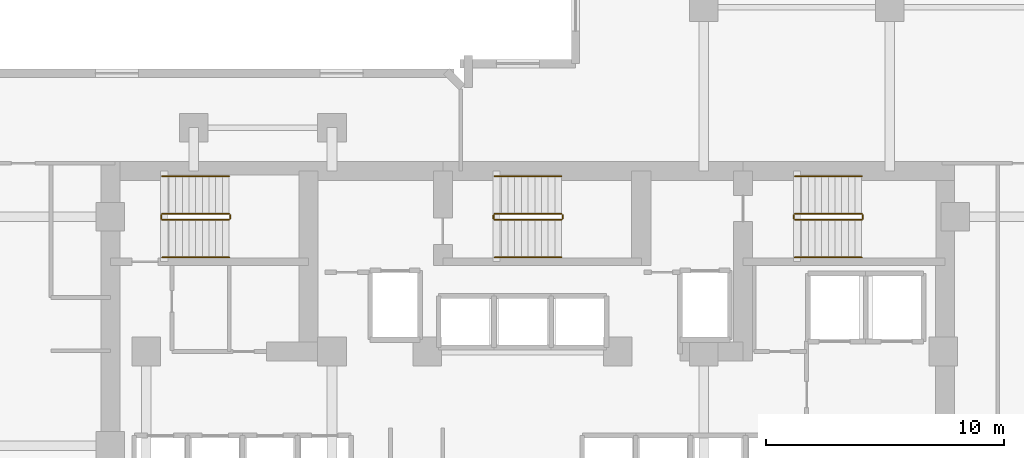
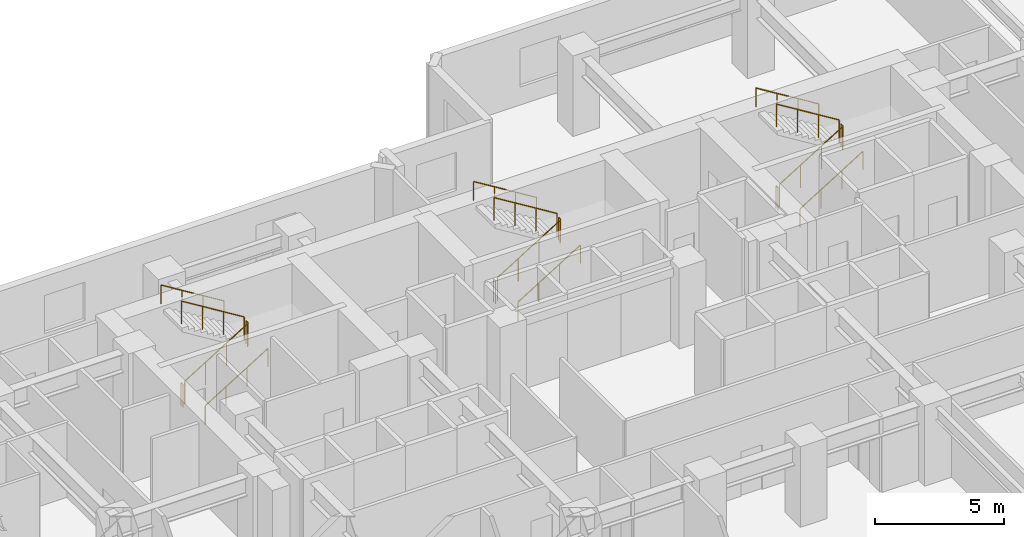
# One storey, part 12 of 12: 18 railings.
"""IFC4 building model written with IfcOpenShell, lengths in metres."""

from ifc_helpers import new_model, si_unit, direction, frame, origin, origin_2d, place, context, subcontext, project, spatial, circle, extrude, material, type_object, element, save


model = new_model("IFC4")

# Units and contexts
model_context = context("Model", 3, precision=1e-05, world=origin(), true_north=direction((0.0, 1.0)))
body_context = subcontext(model_context, "Body", "Model", "MODEL_VIEW")
ifc_project = project(units=[si_unit("LENGTHUNIT", "METRE"), si_unit("AREAUNIT", "SQUARE_METRE"), si_unit("VOLUMEUNIT", "CUBIC_METRE"), si_unit("PLANEANGLEUNIT", "RADIAN"), si_unit("MASSUNIT", "GRAM", prefix="KILO")], contexts=[model_context])

# Site, building, storey
site_placement = place(None, origin())
site = spatial("IfcSite", under=ifc_project, at=site_placement, CompositionType="ELEMENT")
building_placement = place(site_placement, origin())
building = spatial("IfcBuilding", under=site, at=building_placement, Name="Kestravale Grand Hotel", CompositionType="ELEMENT")
storey_placement = place(building_placement, frame((0.0, 0.0, 99.39990234375)))
storey = spatial("IfcBuildingStorey", under=building, at=storey_placement, Name="L24", CompositionType="ELEMENT", Elevation=99.39990234375)

# Railings
ifc_material_1 = material(Name="Painted tubular steel stair well guard", Category="steel")
railing_type_1 = type_object("IfcRailingType", Name="RL-ST-GRD1100", PredefinedType="GUARDRAIL", material=ifc_material_1)
railing_1_placement = place(storey_placement, frame((24.080078125, 38.280029296875, 0.1728515625)))
element("IfcRailing", 1, at=railing_1_placement, inside=storey, type_object=railing_type_1, Name="L24 ST-1 stair guard 1", PredefinedType="GUARDRAIL", context=body_context, shape_type="SweptSolid", body=[
    extrude(circle(Radius=0.02392578125, at=origin_2d()), frame((0.0, 0.0, 1.076171875), z_axis=(0.851069175582, 0.0, 0.525053576669), x_axis=(0.0, 1.0, 0.0)), (0.0, 0.0, 1.0), 3.289794921875),
    extrude(circle(Radius=0.02099609375, at=origin_2d()), origin(), (0.0, 0.0, 1.0), 1.052001953125),
    extrude(circle(Radius=0.02099609375, at=origin_2d()), frame((0.933349609375, 0.0, 0.57568359375)), (0.0, 0.0, 1.0), 1.052001953125),
    extrude(circle(Radius=0.02099609375, at=origin_2d()), frame((1.866455078125, 0.0, 1.151611328125)), (0.0, 0.0, 1.0), 1.052001953125),
    extrude(circle(Radius=0.02099609375, at=origin_2d()), frame((2.7998046875, 0.0, 1.727294921875)), (0.0, 0.0, 1.0), 1.052001953125),
])
railing_2_placement = place(storey_placement, frame((26.929931640625, 38.330078125, 1.900146484375)))
element("IfcRailing", 2, at=railing_2_placement, inside=storey, type_object=railing_type_1, Name="L24 ST-1 stair guard 2", PredefinedType="GUARDRAIL", context=body_context, shape_type="SweptSolid", body=[
    extrude(circle(Radius=0.02392578125, at=origin_2d()), frame((0.0, 0.0, 1.076171875), z_axis=(0.0, 1.0, 0.0), x_axis=(-1.0, 0.0, 0.0)), (0.0, 0.0, 1.0), 0.14990234375),
    extrude(circle(Radius=0.02099609375, at=origin_2d()), origin(), (0.0, 0.0, 1.0), 1.052001953125),
    extrude(circle(Radius=0.02099609375, at=origin_2d()), frame((0.0, 0.14990234375, 0.0)), (0.0, 0.0, 1.0), 1.052001953125),
])
railing_3_placement = place(storey_placement, frame((26.8798828125, 38.530029296875, 2.07275390625)))
element("IfcRailing", 3, at=railing_3_placement, inside=storey, type_object=railing_type_1, Name="L24 ST-1 stair guard 3", PredefinedType="GUARDRAIL", context=body_context, shape_type="SweptSolid", body=[
    extrude(circle(Radius=0.02392578125, at=origin_2d()), frame((0.0, 0.0, 1.076171875), z_axis=(-0.851069175582, 0.0, 0.525053576669), x_axis=(0.0, -1.0, 0.0)), (0.0, 0.0, 1.0), 3.289794921875),
    extrude(circle(Radius=0.02099609375, at=origin_2d()), origin(), (0.0, 0.0, 1.0), 1.052001953125),
    extrude(circle(Radius=0.02099609375, at=origin_2d()), frame((-0.933349609375, 0.0, 0.57568359375)), (0.0, 0.0, 1.0), 1.052001953125),
    extrude(circle(Radius=0.02099609375, at=origin_2d()), frame((-1.866455078125, 0.0, 1.151611328125)), (0.0, 0.0, 1.0), 1.052001953125),
    extrude(circle(Radius=0.02099609375, at=origin_2d()), frame((-2.7998046875, 0.0, 1.727294921875)), (0.0, 0.0, 1.0), 1.052001953125),
])
railing_4_placement = place(storey_placement, frame((24.030029296875, 38.330078125, 0.0)))
element("IfcRailing", 4, at=railing_4_placement, inside=storey, type_object=railing_type_1, Name="L24 ST-1 stair guard 4", PredefinedType="GUARDRAIL", context=body_context, shape_type="SweptSolid", body=[
    extrude(circle(Radius=0.02392578125, at=origin_2d()), frame((0.0, 0.0, 1.076171875), z_axis=(0.0, 1.0, 0.0), x_axis=(-1.0, 0.0, 0.0)), (0.0, 0.0, 1.0), 0.14990234375),
    extrude(circle(Radius=0.02099609375, at=origin_2d()), origin(), (0.0, 0.0, 1.0), 1.052001953125),
    extrude(circle(Radius=0.02099609375, at=origin_2d()), frame((0.0, 0.14990234375, 0.0)), (0.0, 0.0, 1.0), 1.052001953125),
])
railing_5_placement = place(storey_placement, frame((38.030029296875, 38.280029296875, 0.1728515625)))
element("IfcRailing", 5, at=railing_5_placement, inside=storey, type_object=railing_type_1, Name="L24 ST-2 stair guard 1", PredefinedType="GUARDRAIL", context=body_context, shape_type="SweptSolid", body=[
    extrude(circle(Radius=0.02392578125, at=origin_2d()), frame((0.0, 0.0, 1.076171875), z_axis=(0.851089632645, 0.0, 0.525020415988), x_axis=(0.0, 1.0, 0.0)), (0.0, 0.0, 1.0), 3.2900390625),
    extrude(circle(Radius=0.02099609375, at=origin_2d()), origin(), (0.0, 0.0, 1.0), 1.052001953125),
    extrude(circle(Radius=0.02099609375, at=origin_2d()), frame((0.933349609375, 0.0, 0.57568359375)), (0.0, 0.0, 1.0), 1.052001953125),
    extrude(circle(Radius=0.02099609375, at=origin_2d()), frame((1.86669921875, 0.0, 1.151611328125)), (0.0, 0.0, 1.0), 1.052001953125),
    extrude(circle(Radius=0.02099609375, at=origin_2d()), frame((2.800048828125, 0.0, 1.727294921875)), (0.0, 0.0, 1.0), 1.052001953125),
])
railing_6_placement = place(storey_placement, frame((40.8798828125, 38.330078125, 1.900146484375)))
element("IfcRailing", 6, at=railing_6_placement, inside=storey, type_object=railing_type_1, Name="L24 ST-2 stair guard 2", PredefinedType="GUARDRAIL", context=body_context, shape_type="SweptSolid", body=[
    extrude(circle(Radius=0.02392578125, at=origin_2d()), frame((0.0, 0.0, 1.076171875), z_axis=(0.0, 1.0, 0.0), x_axis=(-1.0, 0.0, 0.0)), (0.0, 0.0, 1.0), 0.14990234375),
    extrude(circle(Radius=0.02099609375, at=origin_2d()), origin(), (0.0, 0.0, 1.0), 1.052001953125),
    extrude(circle(Radius=0.02099609375, at=origin_2d()), frame((0.0, 0.14990234375, 0.0)), (0.0, 0.0, 1.0), 1.052001953125),
])
railing_7_placement = place(storey_placement, frame((40.830078125, 38.530029296875, 2.07275390625)))
element("IfcRailing", 7, at=railing_7_placement, inside=storey, type_object=railing_type_1, Name="L24 ST-2 stair guard 3", PredefinedType="GUARDRAIL", context=body_context, shape_type="SweptSolid", body=[
    extrude(circle(Radius=0.02392578125, at=origin_2d()), frame((0.0, 0.0, 1.076171875), z_axis=(-0.851089632645, 0.0, 0.525020415988), x_axis=(0.0, -1.0, 0.0)), (0.0, 0.0, 1.0), 3.2900390625),
    extrude(circle(Radius=0.02099609375, at=origin_2d()), origin(), (0.0, 0.0, 1.0), 1.052001953125),
    extrude(circle(Radius=0.02099609375, at=origin_2d()), frame((-0.933349609375, 0.0, 0.57568359375)), (0.0, 0.0, 1.0), 1.052001953125),
    extrude(circle(Radius=0.02099609375, at=origin_2d()), frame((-1.86669921875, 0.0, 1.151611328125)), (0.0, 0.0, 1.0), 1.052001953125),
    extrude(circle(Radius=0.02099609375, at=origin_2d()), frame((-2.800048828125, 0.0, 1.727294921875)), (0.0, 0.0, 1.0), 1.052001953125),
])
railing_8_placement = place(storey_placement, frame((37.97998046875, 38.330078125, 0.0)))
element("IfcRailing", 8, at=railing_8_placement, inside=storey, type_object=railing_type_1, Name="L24 ST-2 stair guard 4", PredefinedType="GUARDRAIL", context=body_context, shape_type="SweptSolid", body=[
    extrude(circle(Radius=0.02392578125, at=origin_2d()), frame((0.0, 0.0, 1.076171875), z_axis=(0.0, 1.0, 0.0), x_axis=(-1.0, 0.0, 0.0)), (0.0, 0.0, 1.0), 0.14990234375),
    extrude(circle(Radius=0.02099609375, at=origin_2d()), origin(), (0.0, 0.0, 1.0), 1.052001953125),
    extrude(circle(Radius=0.02099609375, at=origin_2d()), frame((0.0, 0.14990234375, 0.0)), (0.0, 0.0, 1.0), 1.052001953125),
])
railing_9_placement = place(storey_placement, frame((50.6298828125, 38.280029296875, 0.1728515625)))
element("IfcRailing", 9, at=railing_9_placement, inside=storey, type_object=railing_type_1, Name="L24 ST-3 stair guard 1", PredefinedType="GUARDRAIL", context=body_context, shape_type="SweptSolid", body=[
    extrude(circle(Radius=0.02392578125, at=origin_2d()), frame((0.0, 0.0, 1.076171875), z_axis=(0.851089632645, 0.0, 0.525020415988), x_axis=(0.0, 1.0, 0.0)), (0.0, 0.0, 1.0), 3.2900390625),
    extrude(circle(Radius=0.02099609375, at=origin_2d()), origin(), (0.0, 0.0, 1.0), 1.052001953125),
    extrude(circle(Radius=0.02099609375, at=origin_2d()), frame((0.933349609375, 0.0, 0.57568359375)), (0.0, 0.0, 1.0), 1.052001953125),
    extrude(circle(Radius=0.02099609375, at=origin_2d()), frame((1.86669921875, 0.0, 1.151611328125)), (0.0, 0.0, 1.0), 1.052001953125),
    extrude(circle(Radius=0.02099609375, at=origin_2d()), frame((2.800048828125, 0.0, 1.727294921875)), (0.0, 0.0, 1.0), 1.052001953125),
])
railing_10_placement = place(storey_placement, frame((53.47998046875, 38.330078125, 1.900146484375)))
element("IfcRailing", 10, at=railing_10_placement, inside=storey, type_object=railing_type_1, Name="L24 ST-3 stair guard 2", PredefinedType="GUARDRAIL", context=body_context, shape_type="SweptSolid", body=[
    extrude(circle(Radius=0.02392578125, at=origin_2d()), frame((0.0, 0.0, 1.076171875), z_axis=(0.0, 1.0, 0.0), x_axis=(-1.0, 0.0, 0.0)), (0.0, 0.0, 1.0), 0.14990234375),
    extrude(circle(Radius=0.02099609375, at=origin_2d()), origin(), (0.0, 0.0, 1.0), 1.052001953125),
    extrude(circle(Radius=0.02099609375, at=origin_2d()), frame((0.0, 0.14990234375, 0.0)), (0.0, 0.0, 1.0), 1.052001953125),
])
railing_11_placement = place(storey_placement, frame((53.429931640625, 38.530029296875, 2.07275390625)))
element("IfcRailing", 11, at=railing_11_placement, inside=storey, type_object=railing_type_1, Name="L24 ST-3 stair guard 3", PredefinedType="GUARDRAIL", context=body_context, shape_type="SweptSolid", body=[
    extrude(circle(Radius=0.02392578125, at=origin_2d()), frame((0.0, 0.0, 1.076171875), z_axis=(-0.851089632645, 0.0, 0.525020415988), x_axis=(0.0, -1.0, 0.0)), (0.0, 0.0, 1.0), 3.2900390625),
    extrude(circle(Radius=0.02099609375, at=origin_2d()), origin(), (0.0, 0.0, 1.0), 1.052001953125),
    extrude(circle(Radius=0.02099609375, at=origin_2d()), frame((-0.933349609375, 0.0, 0.57568359375)), (0.0, 0.0, 1.0), 1.052001953125),
    extrude(circle(Radius=0.02099609375, at=origin_2d()), frame((-1.86669921875, 0.0, 1.151611328125)), (0.0, 0.0, 1.0), 1.052001953125),
    extrude(circle(Radius=0.02099609375, at=origin_2d()), frame((-2.800048828125, 0.0, 1.727294921875)), (0.0, 0.0, 1.0), 1.052001953125),
])
railing_12_placement = place(storey_placement, frame((50.580078125, 38.330078125, 0.0)))
element("IfcRailing", 12, at=railing_12_placement, inside=storey, type_object=railing_type_1, Name="L24 ST-3 stair guard 4", PredefinedType="GUARDRAIL", context=body_context, shape_type="SweptSolid", body=[
    extrude(circle(Radius=0.02392578125, at=origin_2d()), frame((0.0, 0.0, 1.076171875), z_axis=(0.0, 1.0, 0.0), x_axis=(-1.0, 0.0, 0.0)), (0.0, 0.0, 1.0), 0.14990234375),
    extrude(circle(Radius=0.02099609375, at=origin_2d()), origin(), (0.0, 0.0, 1.0), 1.052001953125),
    extrude(circle(Radius=0.02099609375, at=origin_2d()), frame((0.0, 0.14990234375, 0.0)), (0.0, 0.0, 1.0), 1.052001953125),
])
ifc_material_2 = material(Name="Brushed stainless steel wall handrail", Category="steel")
railing_type_2 = type_object("IfcRailingType", Name="RL-ST-HND900", PredefinedType="HANDRAIL", material=ifc_material_2)
railing_13_placement = place(storey_placement, frame((24.080078125, 36.699951171875, 0.1728515625)))
element("IfcRailing", 13, at=railing_13_placement, inside=storey, type_object=railing_type_2, Name="L24 ST-1 stair handrail 1", PredefinedType="HANDRAIL", context=body_context, shape_type="SweptSolid", body=[
    extrude(circle(Radius=0.02392578125, at=origin_2d()), frame((0.0, 0.0, 0.8759765625), z_axis=(0.851069175582, 0.0, 0.525053576669), x_axis=(0.0, 1.0, 0.0)), (0.0, 0.0, 1.0), 3.289794921875),
    extrude(circle(Radius=0.02099609375, at=origin_2d()), origin(), (0.0, 0.0, 1.0), 0.851806640625),
    extrude(circle(Radius=0.02099609375, at=origin_2d()), frame((0.933349609375, 0.0, 0.57568359375)), (0.0, 0.0, 1.0), 0.851806640625),
    extrude(circle(Radius=0.02099609375, at=origin_2d()), frame((1.866455078125, 0.0, 1.151611328125)), (0.0, 0.0, 1.0), 0.851806640625),
    extrude(circle(Radius=0.02099609375, at=origin_2d()), frame((2.7998046875, 0.0, 1.727294921875)), (0.0, 0.0, 1.0), 0.851806640625),
])
railing_14_placement = place(storey_placement, frame((26.8798828125, 40.110107421875, 2.07275390625)))
element("IfcRailing", 14, at=railing_14_placement, inside=storey, type_object=railing_type_2, Name="L24 ST-1 stair handrail 2", PredefinedType="HANDRAIL", context=body_context, shape_type="SweptSolid", body=[
    extrude(circle(Radius=0.02392578125, at=origin_2d()), frame((0.0, 0.0, 0.8759765625), z_axis=(-0.851069175582, 0.0, 0.525053576669), x_axis=(0.0, -1.0, 0.0)), (0.0, 0.0, 1.0), 3.289794921875),
    extrude(circle(Radius=0.02099609375, at=origin_2d()), origin(), (0.0, 0.0, 1.0), 0.851806640625),
    extrude(circle(Radius=0.02099609375, at=origin_2d()), frame((-0.933349609375, 0.0, 0.57568359375)), (0.0, 0.0, 1.0), 0.851806640625),
    extrude(circle(Radius=0.02099609375, at=origin_2d()), frame((-1.866455078125, 0.0, 1.151611328125)), (0.0, 0.0, 1.0), 0.851806640625),
    extrude(circle(Radius=0.02099609375, at=origin_2d()), frame((-2.7998046875, 0.0, 1.727294921875)), (0.0, 0.0, 1.0), 0.851806640625),
])
railing_15_placement = place(storey_placement, frame((38.030029296875, 36.699951171875, 0.1728515625)))
element("IfcRailing", 15, at=railing_15_placement, inside=storey, type_object=railing_type_2, Name="L24 ST-2 stair handrail 1", PredefinedType="HANDRAIL", context=body_context, shape_type="SweptSolid", body=[
    extrude(circle(Radius=0.02392578125, at=origin_2d()), frame((0.0, 0.0, 0.8759765625), z_axis=(0.851089632645, 0.0, 0.525020415988), x_axis=(0.0, 1.0, 0.0)), (0.0, 0.0, 1.0), 3.2900390625),
    extrude(circle(Radius=0.02099609375, at=origin_2d()), origin(), (0.0, 0.0, 1.0), 0.851806640625),
    extrude(circle(Radius=0.02099609375, at=origin_2d()), frame((0.933349609375, 0.0, 0.57568359375)), (0.0, 0.0, 1.0), 0.851806640625),
    extrude(circle(Radius=0.02099609375, at=origin_2d()), frame((1.86669921875, 0.0, 1.151611328125)), (0.0, 0.0, 1.0), 0.851806640625),
    extrude(circle(Radius=0.02099609375, at=origin_2d()), frame((2.800048828125, 0.0, 1.727294921875)), (0.0, 0.0, 1.0), 0.851806640625),
])
railing_16_placement = place(storey_placement, frame((40.830078125, 40.110107421875, 2.07275390625)))
element("IfcRailing", 16, at=railing_16_placement, inside=storey, type_object=railing_type_2, Name="L24 ST-2 stair handrail 2", PredefinedType="HANDRAIL", context=body_context, shape_type="SweptSolid", body=[
    extrude(circle(Radius=0.02392578125, at=origin_2d()), frame((0.0, 0.0, 0.8759765625), z_axis=(-0.851089632645, 0.0, 0.525020415988), x_axis=(0.0, -1.0, 0.0)), (0.0, 0.0, 1.0), 3.2900390625),
    extrude(circle(Radius=0.02099609375, at=origin_2d()), origin(), (0.0, 0.0, 1.0), 0.851806640625),
    extrude(circle(Radius=0.02099609375, at=origin_2d()), frame((-0.933349609375, 0.0, 0.57568359375)), (0.0, 0.0, 1.0), 0.851806640625),
    extrude(circle(Radius=0.02099609375, at=origin_2d()), frame((-1.86669921875, 0.0, 1.151611328125)), (0.0, 0.0, 1.0), 0.851806640625),
    extrude(circle(Radius=0.02099609375, at=origin_2d()), frame((-2.800048828125, 0.0, 1.727294921875)), (0.0, 0.0, 1.0), 0.851806640625),
])
railing_17_placement = place(storey_placement, frame((50.6298828125, 36.699951171875, 0.1728515625)))
element("IfcRailing", 17, at=railing_17_placement, inside=storey, type_object=railing_type_2, Name="L24 ST-3 stair handrail 1", PredefinedType="HANDRAIL", context=body_context, shape_type="SweptSolid", body=[
    extrude(circle(Radius=0.02392578125, at=origin_2d()), frame((0.0, 0.0, 0.8759765625), z_axis=(0.851089632645, 0.0, 0.525020415988), x_axis=(0.0, 1.0, 0.0)), (0.0, 0.0, 1.0), 3.2900390625),
    extrude(circle(Radius=0.02099609375, at=origin_2d()), origin(), (0.0, 0.0, 1.0), 0.851806640625),
    extrude(circle(Radius=0.02099609375, at=origin_2d()), frame((0.933349609375, 0.0, 0.57568359375)), (0.0, 0.0, 1.0), 0.851806640625),
    extrude(circle(Radius=0.02099609375, at=origin_2d()), frame((1.86669921875, 0.0, 1.151611328125)), (0.0, 0.0, 1.0), 0.851806640625),
    extrude(circle(Radius=0.02099609375, at=origin_2d()), frame((2.800048828125, 0.0, 1.727294921875)), (0.0, 0.0, 1.0), 0.851806640625),
])
railing_18_placement = place(storey_placement, frame((53.429931640625, 40.110107421875, 2.07275390625)))
element("IfcRailing", 18, at=railing_18_placement, inside=storey, type_object=railing_type_2, Name="L24 ST-3 stair handrail 2", PredefinedType="HANDRAIL", context=body_context, shape_type="SweptSolid", body=[
    extrude(circle(Radius=0.02392578125, at=origin_2d()), frame((0.0, 0.0, 0.8759765625), z_axis=(-0.851089632645, 0.0, 0.525020415988), x_axis=(0.0, -1.0, 0.0)), (0.0, 0.0, 1.0), 3.2900390625),
    extrude(circle(Radius=0.02099609375, at=origin_2d()), origin(), (0.0, 0.0, 1.0), 0.851806640625),
    extrude(circle(Radius=0.02099609375, at=origin_2d()), frame((-0.933349609375, 0.0, 0.57568359375)), (0.0, 0.0, 1.0), 0.851806640625),
    extrude(circle(Radius=0.02099609375, at=origin_2d()), frame((-1.86669921875, 0.0, 1.151611328125)), (0.0, 0.0, 1.0), 0.851806640625),
    extrude(circle(Radius=0.02099609375, at=origin_2d()), frame((-2.800048828125, 0.0, 1.727294921875)), (0.0, 0.0, 1.0), 0.851806640625),
])

save(model, "model.ifc")
